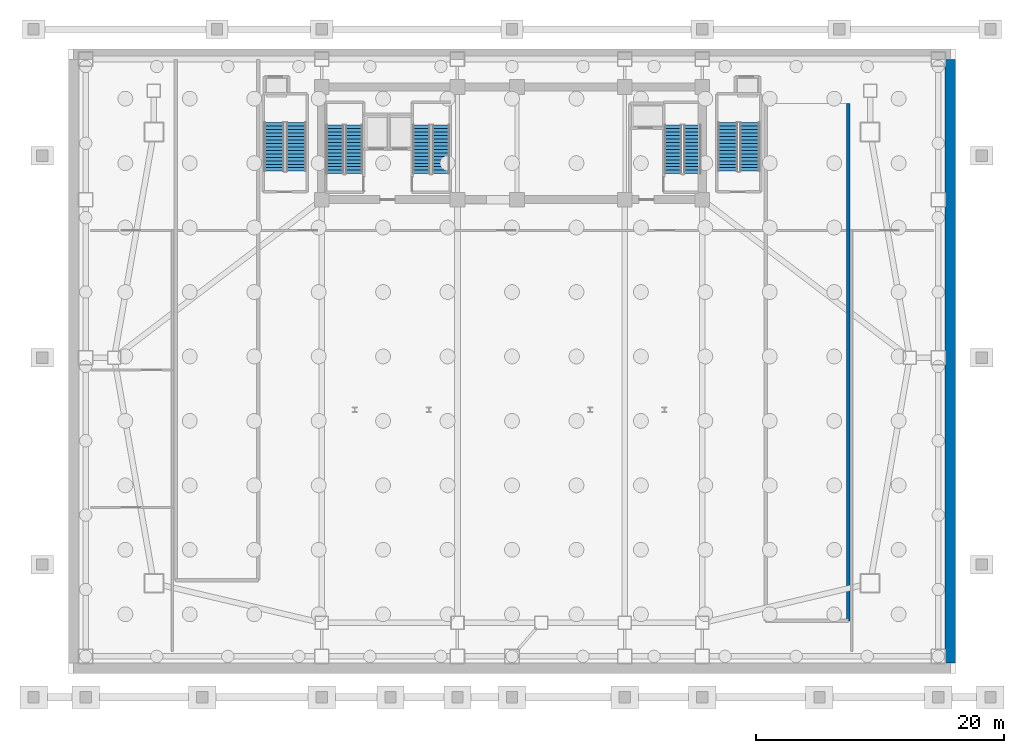
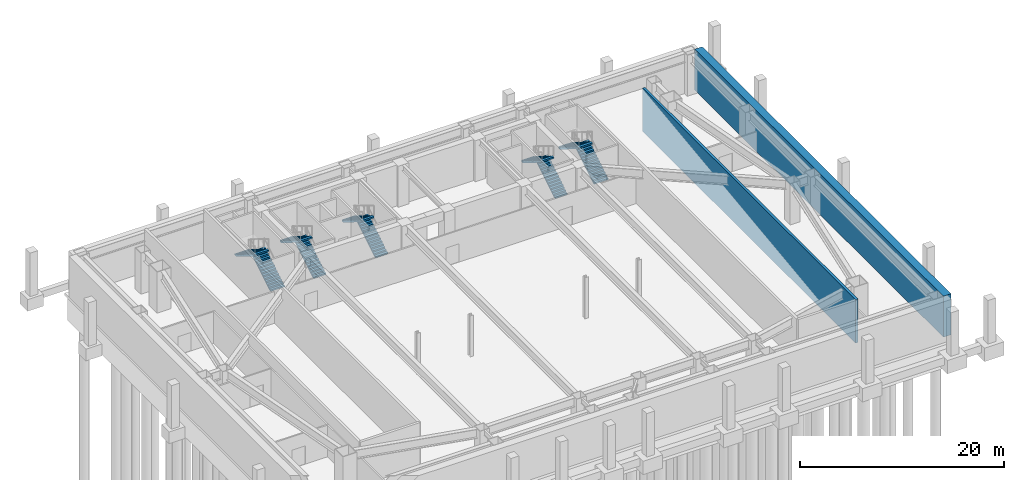
# One storey, part 7 of 10: 10 stair flights, 2 walls, 5 elements without a shape of their own.
"""IFC4 building model written with IfcOpenShell, lengths in metres."""

import ifcopenshell
import ifcopenshell.guid

model = None  # the IFC model being written
_history = None  # IfcOwnerHistory: only IFC2X3 demands one
_inside = {}  # id of a spatial element -> (the spatial element, [elements in it])
_under = {}  # id of a project, library or spatial element -> (it, [spatial elements below it])
_declared = {}  # id of a project -> (the project, [libraries it declares])
_typed = {}  # id of a type object -> (the type object, [elements of that type])
_made_of = {}  # id of a material, layer set ... -> (it, [elements and type objects made of it])


def new_model(schema):
    """Start an empty IFC model of exactly this schema.

    Asked for "IFC4X3", IfcOpenShell would pick the latest addendum, in which some entities
    have other attributes; the version numbers below select the first issue.
    IFC2X3 requires an IfcOwnerHistory on every rooted entity: one is made here for all.
    """
    global model, _history
    if schema == "IFC4X3":
        model = ifcopenshell.file(schema_version=(4, 3, 0, 0))
    else:
        model = ifcopenshell.file(schema=schema)
    _inside.clear()
    _under.clear()
    _declared.clear()
    _typed.clear()
    _made_of.clear()
    _history = None
    if model.schema == "IFC2X3":
        org = make("IfcOrganization", Name="unknown")
        user = make(
            "IfcPersonAndOrganization",
            ThePerson=make("IfcPerson", FamilyName="unknown"),
            TheOrganization=org,
        )
        app = make(
            "IfcApplication",
            ApplicationDeveloper=org,
            Version="unknown",
            ApplicationFullName="unknown",
            ApplicationIdentifier="unknown",
        )
        _history = make(
            "IfcOwnerHistory",
            OwningUser=user,
            OwningApplication=app,
            ChangeAction="ADDED",
            CreationDate=0,
        )
    return model


def make(cls, **values):
    """One entity of the class cls with the attributes given. An attribute that is None is left unset."""
    return model.create_entity(
        cls, **{name: value for name, value in values.items() if value is not None}
    )


def rooted(cls, **values):
    """An entity with a GlobalId (a new one), such as an element, a storey or a relation."""
    return make(cls, GlobalId=ifcopenshell.guid.new(), OwnerHistory=_history, **values)


def si_unit(unit_type, name, prefix=None):
    """IfcSIUnit, for example si_unit("LENGTHUNIT", "METRE", prefix="MILLI")."""
    return make("IfcSIUnit", UnitType=unit_type, Prefix=prefix, Name=name)


def assignment(units):
    """IfcUnitAssignment: the units of a project."""
    return None if units is None else make("IfcUnitAssignment", Units=units)


def point(xyz):
    """IfcCartesianPoint."""
    return None if xyz is None else make("IfcCartesianPoint", Coordinates=xyz)


def direction(xyz):
    """IfcDirection."""
    return None if xyz is None else make("IfcDirection", DirectionRatios=xyz)


def frame(location, z_axis=None, x_axis=None):
    """IfcAxis2Placement3D, a coordinate frame: its origin and axes. An axis left out is left unset."""
    return make(
        "IfcAxis2Placement3D",
        Location=point(location),
        Axis=direction(z_axis),
        RefDirection=direction(x_axis),
    )


def frame_2d(location, x_axis=None):
    """IfcAxis2Placement2D, a coordinate frame in the plane: its origin and x axis."""
    return make(
        "IfcAxis2Placement2D", Location=point(location), RefDirection=direction(x_axis)
    )


def origin():
    """The frame at (0, 0, 0) with its axes left unset."""
    return frame((0.0, 0.0, 0.0))


def place(relative_to, where):
    """IfcLocalPlacement: puts the frame where relative to a parent placement (None: the world)."""
    return make(
        "IfcLocalPlacement", PlacementRelTo=relative_to, RelativePlacement=where
    )


def context(
    kind, dimensions, precision=None, world=None, true_north=None, identifier=None
):
    """IfcGeometricRepresentationContext, for example the 3D "Model" context."""
    return make(
        "IfcGeometricRepresentationContext",
        ContextIdentifier=identifier,
        ContextType=kind,
        CoordinateSpaceDimension=dimensions,
        Precision=precision,
        WorldCoordinateSystem=world,
        TrueNorth=true_north,
    )


def subcontext(parent, identifier, kind, view, scale=None):
    """IfcGeometricRepresentationSubContext, for example "Body" below "Model"."""
    return make(
        "IfcGeometricRepresentationSubContext",
        ContextIdentifier=identifier,
        ContextType=kind,
        ParentContext=parent,
        TargetScale=scale,
        TargetView=view,
    )


def project(units=None, contexts=None):
    """IfcProject with its units and contexts."""
    return rooted(
        "IfcProject",
        Name="project",
        RepresentationContexts=contexts,
        UnitsInContext=assignment(units),
    )


def spatial(cls, under=None, at=None, **own):
    """A site, building, storey or space (cls), placed at a placement, below another one or the project."""
    s = rooted(cls, ObjectPlacement=at, **own)
    if under is not None:
        _under.setdefault(under.id(), (under, []))[1].append(s)
    return s


def polyline(points):
    """IfcPolyline through the points."""
    return make("IfcPolyline", Points=[point(p) for p in points])


def profile(cls, at=None, kind="AREA", **sizes):
    """A parametric profile (cls). Its sizes go by their IFC names, for example OverallWidth=200.0."""
    return make(cls, ProfileType=kind, Position=at, **sizes)


def rectangle(**sizes):
    """IfcRectangleProfileDef."""
    return profile("IfcRectangleProfileDef", **sizes)


def outline(outer, holes=None, kind="AREA"):
    """IfcArbitraryClosedProfileDef: a profile drawn as a closed curve; with holes, ...WithVoids."""
    if holes is None:
        return make("IfcArbitraryClosedProfileDef", ProfileType=kind, OuterCurve=outer)
    return make(
        "IfcArbitraryProfileDefWithVoids",
        ProfileType=kind,
        OuterCurve=outer,
        InnerCurves=holes,
    )


def extrude(swept, where, along, depth):
    """IfcExtrudedAreaSolid: the profile swept, set in the frame where, extruded along a direction by depth."""
    return make(
        "IfcExtrudedAreaSolid",
        SweptArea=swept,
        Position=where,
        ExtrudedDirection=direction(along),
        Depth=depth,
    )


def shape(context_of_items, identifier, shape_type, items):
    """IfcShapeRepresentation: the items that make up one representation, for example the "Body"."""
    return make(
        "IfcShapeRepresentation",
        ContextOfItems=context_of_items,
        RepresentationIdentifier=identifier,
        RepresentationType=shape_type,
        Items=items,
    )


def material(Name=None, Category=None):
    """IfcMaterial."""
    return make("IfcMaterial", Name=Name, Category=Category)


def layer(
    of_material, thickness, ventilated=None, Name=None, Category=None, Priority=None
):
    """IfcMaterialLayer: one layer of a wall or slab, of a material (None: an air gap)."""
    return make(
        "IfcMaterialLayer",
        Material=of_material,
        LayerThickness=thickness,
        IsVentilated=ventilated,
        Name=Name,
        Category=Category,
        Priority=Priority,
    )


def layer_set(layers, Name=None):
    """IfcMaterialLayerSet."""
    return make("IfcMaterialLayerSet", MaterialLayers=layers, LayerSetName=Name)


def made_of(thing, what):
    """Note that an element or type object is made of a material, layer set ...; save() writes the relation."""
    if what is not None:
        _made_of.setdefault(what.id(), (what, []))[1].append(thing)
    return thing


def type_object(cls, material=None, **own):
    """A type object (cls), such as IfcWallType, which elements share."""
    return made_of(rooted(cls, **own), material)


def element(
    cls,
    number,
    at=None,
    inside=None,
    cuts=None,
    type_object=None,
    material=None,
    context=None,
    identifier="Body",
    shape_type=None,
    held_by="IfcProductDefinitionShape",
    body=None,
    shapes=None,
    **own,
):
    """One element of the class cls, such as IfcWall. Its Tag is "e" and its number.

    at: its placement. inside: the storey or other place that contains it. cuts: it is an
    opening in that element (IfcRelVoidsElement). A single representation is given by context,
    identifier, shape_type and body (its items); several are given by shapes. held_by: the class
    of the entity that holds the representations. save() writes the other relations.
    """
    e = rooted(cls, Tag="e%d" % number, ObjectPlacement=at, **own)
    if body is not None:
        shapes = [shape(context, identifier, shape_type, body)]
    if shapes is not None:
        e.Representation = make(held_by, Representations=shapes)
    if inside is not None:
        _inside.setdefault(inside.id(), (inside, []))[1].append(e)
    if cuts is not None:
        rooted(
            "IfcRelVoidsElement", RelatingBuildingElement=cuts, RelatedOpeningElement=e
        )
    if type_object is not None:
        _typed.setdefault(type_object.id(), (type_object, []))[1].append(e)
    return made_of(e, material)


def aggregate(whole, parts):
    """IfcRelAggregates: a whole, such as a stair, and the parts it consists of."""
    return rooted("IfcRelAggregates", RelatingObject=whole, RelatedObjects=parts)


def save(model, path):
    """Write the relations noted so far, then the file.

    IfcRelAggregates (storeys below a building ...), IfcRelContainedInSpatialStructure (elements
    in a storey), IfcRelDefinesByType, IfcRelAssociatesMaterial and IfcRelDeclares: one each for
    every whole, place, type object, material and project.
    """
    for whole, parts in _under.values():
        aggregate(whole, parts)
    for where, things in _inside.values():
        rooted(
            "IfcRelContainedInSpatialStructure",
            RelatedElements=things,
            RelatingStructure=where,
        )
    for kind, things in _typed.values():
        rooted("IfcRelDefinesByType", RelatedObjects=things, RelatingType=kind)
    for what, things in _made_of.values():
        rooted("IfcRelAssociatesMaterial", RelatedObjects=things, RelatingMaterial=what)
    for by, libraries in _declared.values():
        rooted("IfcRelDeclares", RelatingContext=by, RelatedDefinitions=libraries)
    model.write(path)


model = new_model("IFC4")

# Units and contexts
model_context = context("Model", 3, precision=1e-05, world=origin(), true_north=direction((0.0, 1.0)))
body_context = subcontext(model_context, "Body", "Model", "MODEL_VIEW")
ifc_project = project(units=[si_unit("LENGTHUNIT", "METRE"), si_unit("AREAUNIT", "SQUARE_METRE"), si_unit("VOLUMEUNIT", "CUBIC_METRE"), si_unit("PLANEANGLEUNIT", "RADIAN"), si_unit("MASSUNIT", "GRAM", prefix="KILO")], contexts=[model_context])

# Site, building, storey
site_placement = place(None, origin())
site = spatial("IfcSite", under=ifc_project, at=site_placement, CompositionType="ELEMENT")
building_placement = place(site_placement, origin())
building = spatial("IfcBuilding", under=site, at=building_placement, Name="Giltprow Tower", CompositionType="ELEMENT")
storey_placement = place(building_placement, frame((0.0, 0.0, -10.39990234375)))
storey = spatial("IfcBuildingStorey", under=building, at=storey_placement, Name="B02", CompositionType="ELEMENT", Elevation=-10.39990234375)

# Walls
ifc_material_1 = material(Name="Concrete C45", Category="concrete")
ifc_layer_1 = layer(ifc_material_1, 0.85009765625, Name="Concrete C45")
ifc_layer_set_1 = layer_set([ifc_layer_1], Name="Concrete C45")
wall_type_1 = type_object("IfcWallType", Name="RW-DIAPHRAGM-850", PredefinedType="USERDEFINED", material=ifc_layer_set_1)
wall_1_placement = place(storey_placement, frame((70.574951171875, 0.050048828125, 0.0), z_axis=(0.0, 0.0, 1.0), x_axis=(0.0, 1.0, 0.0)))
element("IfcWall", 1, at=wall_1_placement, inside=storey, type_object=wall_type_1, Name="B02 Diaphragm Retaining Wall E", ObjectType="RETAININGWALL", PredefinedType="USERDEFINED", context=body_context, shape_type="SweptSolid", body=[
    extrude(rectangle(XDim=48.699951171875, YDim=0.85009765625, at=frame_2d((24.35009765625, 0.0))), origin(), (0.0, 0.0, 1.0), 4.89990234375),
])
ifc_material_2 = material(Name="Concrete C40", Category="concrete")
ifc_layer_2 = layer(ifc_material_2, 0.280029296875, Name="Concrete C40")
ifc_layer_set_2 = layer_set([ifc_layer_2], Name="Concrete C40")
wall_type_2 = type_object("IfcWallType", Name="WL-RAMP-SHAFT-280", PredefinedType="SOLIDWALL", material=ifc_layer_set_2)
wall_2_placement = place(storey_placement, frame((62.340087890625, 3.4599609375, 0.0), z_axis=(0.0, 0.0, 1.0), x_axis=(0.0, 1.0, 0.0)))
element("IfcWall", 2, at=wall_2_placement, inside=storey, type_object=wall_type_2, Name="B02 East Ramp Bearing Wall E", PredefinedType="SOLIDWALL", context=body_context, shape_type="SweptSolid", body=[
    extrude(rectangle(XDim=41.739990234375, YDim=0.280029296875, at=frame_2d((20.8701171875, 0.0))), origin(), (0.0, 0.0, 1.0), 5.199951171875),
])

# Stair, stair flights
stair_type_1 = type_object("IfcStairType", Name="STR-ST-1", PredefinedType="HALF_TURN_STAIR", material=ifc_material_2)
stair_1_placement = place(storey_placement, origin())
stair_1 = element("IfcStair", 3, at=stair_1_placement, inside=storey, type_object=stair_type_1, Name="B02 Core Exit Stair ST-1", PredefinedType="HALF_TURN_STAIR")
stair_flight_type_1 = type_object("IfcStairFlightType", Name="SFL-ST-1", PredefinedType="STRAIGHT", material=ifc_material_2)
stair_flight_1_placement = place(storey_placement, frame((22.4599609375, 39.550048828125, 0.0), z_axis=(0.0, 0.0, 1.0), x_axis=(0.0, 1.0, 0.0)))
stair_flight_1 = element("IfcStairFlight", 4, at=stair_flight_1_placement, type_object=stair_flight_type_1, Name="ST-1 flight 1", NumberOfRisers=15, NumberOfTreads=14, PredefinedType="STRAIGHT", RiserHeight=0.173333333, TreadLength=0.28, context=body_context, shape_type="SweptSolid", body=[
    extrude(outline(polyline([(0.0, 0.0), (0.0, 0.17333984375), (0.280029296875, 0.17333984375), (0.280029296875, 0.3466796875), (0.56005859375, 0.3466796875), (0.56005859375, 0.52001953125), (0.840087890625, 0.52001953125), (0.840087890625, 0.693359375), (1.1201171875, 0.693359375), (1.1201171875, 0.86669921875), (1.39990234375, 0.86669921875), (1.39990234375, 1.0400390625), (1.679931640625, 1.0400390625), (1.679931640625, 1.21337890625), (1.9599609375, 1.21337890625), (1.9599609375, 1.38671875), (2.239990234375, 1.38671875), (2.239990234375, 1.56005859375), (2.52001953125, 1.56005859375), (2.52001953125, 1.7333984375), (2.800048828125, 1.7333984375), (2.800048828125, 1.90673828125), (3.080078125, 1.90673828125), (3.080078125, 2.080078125), (3.360107421875, 2.080078125), (3.360107421875, 2.25341796875), (3.639892578125, 2.25341796875), (3.639892578125, 2.4267578125), (3.919921875, 2.4267578125), (3.919921875, 2.60009765625), (3.919921875, 2.250244140625), (0.284912109375, 0.0), (0.0, 0.0)])), frame((0.0, 0.699951171875, 0.0), z_axis=(0.0, -1.0, 0.0), x_axis=(1.0, 0.0, 0.0)), (0.0, 0.0, 1.0), 1.39990234375),
])
stair_flight_2_placement = place(storey_placement, frame((20.89990234375, 43.469970703125, 2.599853515625), z_axis=(0.0, 0.0, 1.0), x_axis=(0.0, -1.0, 0.0)))
stair_flight_2 = element("IfcStairFlight", 5, at=stair_flight_2_placement, type_object=stair_flight_type_1, Name="ST-1 flight 2", NumberOfRisers=15, NumberOfTreads=14, PredefinedType="STRAIGHT", RiserHeight=0.173333333, TreadLength=0.28, context=body_context, shape_type="SweptSolid", body=[
    extrude(outline(polyline([(0.0, 0.0), (0.0, 0.17333984375), (0.280029296875, 0.17333984375), (0.280029296875, 0.3466796875), (0.56005859375, 0.3466796875), (0.56005859375, 0.52001953125), (0.840087890625, 0.52001953125), (0.840087890625, 0.693359375), (1.1201171875, 0.693359375), (1.1201171875, 0.86669921875), (1.39990234375, 0.86669921875), (1.39990234375, 1.0400390625), (1.679931640625, 1.0400390625), (1.679931640625, 1.21337890625), (1.9599609375, 1.21337890625), (1.9599609375, 1.38671875), (2.239990234375, 1.38671875), (2.239990234375, 1.56005859375), (2.52001953125, 1.56005859375), (2.52001953125, 1.7333984375), (2.800048828125, 1.7333984375), (2.800048828125, 1.90673828125), (3.080078125, 1.90673828125), (3.080078125, 2.080078125), (3.360107421875, 2.080078125), (3.360107421875, 2.25341796875), (3.639892578125, 2.25341796875), (3.639892578125, 2.4267578125), (3.919921875, 2.4267578125), (3.919921875, 2.60009765625), (3.919921875, 2.250244140625), (0.284912109375, 0.0), (0.0, 0.0)])), frame((0.0, 0.699951171875, 0.0), z_axis=(0.0, -1.0, 0.0), x_axis=(1.0, 0.0, 0.0)), (0.0, 0.0, 1.0), 1.39990234375),
])
aggregate(stair_1, [stair_flight_1, stair_flight_2])

stair_type_2 = type_object("IfcStairType", Name="STR-ST-2", PredefinedType="HALF_TURN_STAIR", material=ifc_material_2)
stair_2_placement = place(storey_placement, origin())
stair_2 = element("IfcStair", 6, at=stair_2_placement, inside=storey, type_object=stair_type_2, Name="B02 Core Exit Stair ST-2", PredefinedType="HALF_TURN_STAIR")
stair_flight_type_2 = type_object("IfcStairFlightType", Name="SFL-ST-2", PredefinedType="STRAIGHT", material=ifc_material_2)
stair_flight_3_placement = place(storey_placement, frame((29.4599609375, 39.550048828125, 0.0), z_axis=(0.0, 0.0, 1.0), x_axis=(0.0, 1.0, 0.0)))
stair_flight_3 = element("IfcStairFlight", 7, at=stair_flight_3_placement, type_object=stair_flight_type_2, Name="ST-2 flight 1", NumberOfRisers=15, NumberOfTreads=14, PredefinedType="STRAIGHT", RiserHeight=0.173333333, TreadLength=0.28, context=body_context, shape_type="SweptSolid", body=[
    extrude(outline(polyline([(0.0, 0.0), (0.0, 0.17333984375), (0.280029296875, 0.17333984375), (0.280029296875, 0.3466796875), (0.56005859375, 0.3466796875), (0.56005859375, 0.52001953125), (0.840087890625, 0.52001953125), (0.840087890625, 0.693359375), (1.1201171875, 0.693359375), (1.1201171875, 0.86669921875), (1.39990234375, 0.86669921875), (1.39990234375, 1.0400390625), (1.679931640625, 1.0400390625), (1.679931640625, 1.21337890625), (1.9599609375, 1.21337890625), (1.9599609375, 1.38671875), (2.239990234375, 1.38671875), (2.239990234375, 1.56005859375), (2.52001953125, 1.56005859375), (2.52001953125, 1.7333984375), (2.800048828125, 1.7333984375), (2.800048828125, 1.90673828125), (3.080078125, 1.90673828125), (3.080078125, 2.080078125), (3.360107421875, 2.080078125), (3.360107421875, 2.25341796875), (3.639892578125, 2.25341796875), (3.639892578125, 2.4267578125), (3.919921875, 2.4267578125), (3.919921875, 2.60009765625), (3.919921875, 2.250244140625), (0.284912109375, 0.0), (0.0, 0.0)])), frame((0.0, 0.699951171875, 0.0), z_axis=(0.0, -1.0, 0.0), x_axis=(1.0, 0.0, 0.0)), (0.0, 0.0, 1.0), 1.39990234375),
])
stair_flight_4_placement = place(storey_placement, frame((27.89990234375, 43.469970703125, 2.599853515625), z_axis=(0.0, 0.0, 1.0), x_axis=(0.0, -1.0, 0.0)))
stair_flight_4 = element("IfcStairFlight", 8, at=stair_flight_4_placement, type_object=stair_flight_type_2, Name="ST-2 flight 2", NumberOfRisers=15, NumberOfTreads=14, PredefinedType="STRAIGHT", RiserHeight=0.173333333, TreadLength=0.28, context=body_context, shape_type="SweptSolid", body=[
    extrude(outline(polyline([(0.0, 0.0), (0.0, 0.17333984375), (0.280029296875, 0.17333984375), (0.280029296875, 0.3466796875), (0.56005859375, 0.3466796875), (0.56005859375, 0.52001953125), (0.840087890625, 0.52001953125), (0.840087890625, 0.693359375), (1.1201171875, 0.693359375), (1.1201171875, 0.86669921875), (1.39990234375, 0.86669921875), (1.39990234375, 1.0400390625), (1.679931640625, 1.0400390625), (1.679931640625, 1.21337890625), (1.9599609375, 1.21337890625), (1.9599609375, 1.38671875), (2.239990234375, 1.38671875), (2.239990234375, 1.56005859375), (2.52001953125, 1.56005859375), (2.52001953125, 1.7333984375), (2.800048828125, 1.7333984375), (2.800048828125, 1.90673828125), (3.080078125, 1.90673828125), (3.080078125, 2.080078125), (3.360107421875, 2.080078125), (3.360107421875, 2.25341796875), (3.639892578125, 2.25341796875), (3.639892578125, 2.4267578125), (3.919921875, 2.4267578125), (3.919921875, 2.60009765625), (3.919921875, 2.250244140625), (0.284912109375, 0.0), (0.0, 0.0)])), frame((0.0, 0.699951171875, 0.0), z_axis=(0.0, -1.0, 0.0), x_axis=(1.0, 0.0, 0.0)), (0.0, 0.0, 1.0), 1.39990234375),
])
aggregate(stair_2, [stair_flight_3, stair_flight_4])

stair_type_3 = type_object("IfcStairType", Name="STR-ST-3", PredefinedType="HALF_TURN_STAIR", material=ifc_material_2)
stair_3_placement = place(storey_placement, origin())
stair_3 = element("IfcStair", 9, at=stair_3_placement, inside=storey, type_object=stair_type_3, Name="B02 Core Exit Stair ST-3", PredefinedType="HALF_TURN_STAIR")
stair_flight_type_3 = type_object("IfcStairFlightType", Name="SFL-ST-3", PredefinedType="STRAIGHT", material=ifc_material_2)
stair_flight_5_placement = place(storey_placement, frame((49.760009765625, 39.550048828125, 0.0), z_axis=(0.0, 0.0, 1.0), x_axis=(0.0, 1.0, 0.0)))
stair_flight_5 = element("IfcStairFlight", 10, at=stair_flight_5_placement, type_object=stair_flight_type_3, Name="ST-3 flight 1", NumberOfRisers=15, NumberOfTreads=14, PredefinedType="STRAIGHT", RiserHeight=0.173333333, TreadLength=0.28, context=body_context, shape_type="SweptSolid", body=[
    extrude(outline(polyline([(0.0, 0.0), (0.0, 0.17333984375), (0.280029296875, 0.17333984375), (0.280029296875, 0.3466796875), (0.56005859375, 0.3466796875), (0.56005859375, 0.52001953125), (0.840087890625, 0.52001953125), (0.840087890625, 0.693359375), (1.1201171875, 0.693359375), (1.1201171875, 0.86669921875), (1.39990234375, 0.86669921875), (1.39990234375, 1.0400390625), (1.679931640625, 1.0400390625), (1.679931640625, 1.21337890625), (1.9599609375, 1.21337890625), (1.9599609375, 1.38671875), (2.239990234375, 1.38671875), (2.239990234375, 1.56005859375), (2.52001953125, 1.56005859375), (2.52001953125, 1.7333984375), (2.800048828125, 1.7333984375), (2.800048828125, 1.90673828125), (3.080078125, 1.90673828125), (3.080078125, 2.080078125), (3.360107421875, 2.080078125), (3.360107421875, 2.25341796875), (3.639892578125, 2.25341796875), (3.639892578125, 2.4267578125), (3.919921875, 2.4267578125), (3.919921875, 2.60009765625), (3.919921875, 2.250244140625), (0.284912109375, 0.0), (0.0, 0.0)])), frame((0.0, 0.699951171875, 0.0), z_axis=(0.0, -1.0, 0.0), x_axis=(1.0, 0.0, 0.0)), (0.0, 0.0, 1.0), 1.39990234375),
])
stair_flight_6_placement = place(storey_placement, frame((48.199951171875, 43.469970703125, 2.599853515625), z_axis=(0.0, 0.0, 1.0), x_axis=(0.0, -1.0, 0.0)))
stair_flight_6 = element("IfcStairFlight", 11, at=stair_flight_6_placement, type_object=stair_flight_type_3, Name="ST-3 flight 2", NumberOfRisers=15, NumberOfTreads=14, PredefinedType="STRAIGHT", RiserHeight=0.173333333, TreadLength=0.28, context=body_context, shape_type="SweptSolid", body=[
    extrude(outline(polyline([(0.0, 0.0), (0.0, 0.17333984375), (0.280029296875, 0.17333984375), (0.280029296875, 0.3466796875), (0.56005859375, 0.3466796875), (0.56005859375, 0.52001953125), (0.840087890625, 0.52001953125), (0.840087890625, 0.693359375), (1.1201171875, 0.693359375), (1.1201171875, 0.86669921875), (1.39990234375, 0.86669921875), (1.39990234375, 1.0400390625), (1.679931640625, 1.0400390625), (1.679931640625, 1.21337890625), (1.9599609375, 1.21337890625), (1.9599609375, 1.38671875), (2.239990234375, 1.38671875), (2.239990234375, 1.56005859375), (2.52001953125, 1.56005859375), (2.52001953125, 1.7333984375), (2.800048828125, 1.7333984375), (2.800048828125, 1.90673828125), (3.080078125, 1.90673828125), (3.080078125, 2.080078125), (3.360107421875, 2.080078125), (3.360107421875, 2.25341796875), (3.639892578125, 2.25341796875), (3.639892578125, 2.4267578125), (3.919921875, 2.4267578125), (3.919921875, 2.60009765625), (3.919921875, 2.250244140625), (0.284912109375, 0.0), (0.0, 0.0)])), frame((0.0, 0.699951171875, 0.0), z_axis=(0.0, -1.0, 0.0), x_axis=(1.0, 0.0, 0.0)), (0.0, 0.0, 1.0), 1.39990234375),
])
aggregate(stair_3, [stair_flight_5, stair_flight_6])

stair_type_4 = type_object("IfcStairType", Name="STR-ST-P1", PredefinedType="HALF_TURN_STAIR", material=ifc_material_2)
stair_4_placement = place(storey_placement, origin())
stair_4 = element("IfcStair", 12, at=stair_4_placement, inside=storey, type_object=stair_type_4, Name="B02 Podium Exit Stair ST-P1", PredefinedType="HALF_TURN_STAIR")
stair_flight_type_4 = type_object("IfcStairFlightType", Name="SFL-ST-P1", PredefinedType="STRAIGHT", material=ifc_material_2)
stair_flight_7_placement = place(storey_placement, frame((17.800048828125, 39.75, 0.0), z_axis=(0.0, 0.0, 1.0), x_axis=(0.0, 1.0, 0.0)))
stair_flight_7 = element("IfcStairFlight", 13, at=stair_flight_7_placement, type_object=stair_flight_type_4, Name="ST-P1 flight 1", NumberOfRisers=15, NumberOfTreads=14, PredefinedType="STRAIGHT", RiserHeight=0.173333333, TreadLength=0.28, context=body_context, shape_type="SweptSolid", body=[
    extrude(outline(polyline([(0.0, 0.0), (0.0, 0.17333984375), (0.280029296875, 0.17333984375), (0.280029296875, 0.3466796875), (0.56005859375, 0.3466796875), (0.56005859375, 0.52001953125), (0.840087890625, 0.52001953125), (0.840087890625, 0.693359375), (1.1201171875, 0.693359375), (1.1201171875, 0.86669921875), (1.39990234375, 0.86669921875), (1.39990234375, 1.0400390625), (1.679931640625, 1.0400390625), (1.679931640625, 1.21337890625), (1.9599609375, 1.21337890625), (1.9599609375, 1.38671875), (2.239990234375, 1.38671875), (2.239990234375, 1.56005859375), (2.52001953125, 1.56005859375), (2.52001953125, 1.7333984375), (2.800048828125, 1.7333984375), (2.800048828125, 1.90673828125), (3.080078125, 1.90673828125), (3.080078125, 2.080078125), (3.360107421875, 2.080078125), (3.360107421875, 2.25341796875), (3.639892578125, 2.25341796875), (3.639892578125, 2.4267578125), (3.919921875, 2.4267578125), (3.919921875, 2.60009765625), (3.919921875, 2.250244140625), (0.284912109375, 0.0), (0.0, 0.0)])), frame((0.0, 0.800048828125, 0.0), z_axis=(0.0, -1.0, 0.0), x_axis=(1.0, 0.0, 0.0)), (0.0, 0.0, 1.0), 1.60009765625),
])
stair_flight_8_placement = place(storey_placement, frame((16.0, 43.669921875, 2.599853515625), z_axis=(0.0, 0.0, 1.0), x_axis=(0.0, -1.0, 0.0)))
stair_flight_8 = element("IfcStairFlight", 14, at=stair_flight_8_placement, type_object=stair_flight_type_4, Name="ST-P1 flight 2", NumberOfRisers=15, NumberOfTreads=14, PredefinedType="STRAIGHT", RiserHeight=0.173333333, TreadLength=0.28, context=body_context, shape_type="SweptSolid", body=[
    extrude(outline(polyline([(0.0, 0.0), (0.0, 0.17333984375), (0.280029296875, 0.17333984375), (0.280029296875, 0.3466796875), (0.56005859375, 0.3466796875), (0.56005859375, 0.52001953125), (0.840087890625, 0.52001953125), (0.840087890625, 0.693359375), (1.1201171875, 0.693359375), (1.1201171875, 0.86669921875), (1.39990234375, 0.86669921875), (1.39990234375, 1.0400390625), (1.679931640625, 1.0400390625), (1.679931640625, 1.21337890625), (1.9599609375, 1.21337890625), (1.9599609375, 1.38671875), (2.239990234375, 1.38671875), (2.239990234375, 1.56005859375), (2.52001953125, 1.56005859375), (2.52001953125, 1.7333984375), (2.800048828125, 1.7333984375), (2.800048828125, 1.90673828125), (3.080078125, 1.90673828125), (3.080078125, 2.080078125), (3.360107421875, 2.080078125), (3.360107421875, 2.25341796875), (3.639892578125, 2.25341796875), (3.639892578125, 2.4267578125), (3.919921875, 2.4267578125), (3.919921875, 2.60009765625), (3.919921875, 2.250244140625), (0.284912109375, 0.0), (0.0, 0.0)])), frame((0.0, 0.800048828125, 0.0), z_axis=(0.0, -1.0, 0.0), x_axis=(1.0, 0.0, 0.0)), (0.0, 0.0, 1.0), 1.60009765625),
])
aggregate(stair_4, [stair_flight_7, stair_flight_8])

stair_type_5 = type_object("IfcStairType", Name="STR-ST-P2", PredefinedType="HALF_TURN_STAIR", material=ifc_material_2)
stair_5_placement = place(storey_placement, origin())
stair_5 = element("IfcStair", 15, at=stair_5_placement, inside=storey, type_object=stair_type_5, Name="B02 Podium Exit Stair ST-P2", PredefinedType="HALF_TURN_STAIR")
stair_flight_type_5 = type_object("IfcStairFlightType", Name="SFL-ST-P2", PredefinedType="STRAIGHT", material=ifc_material_2)
stair_flight_9_placement = place(storey_placement, frame((54.39990234375, 39.75, 0.0), z_axis=(0.0, 0.0, 1.0), x_axis=(0.0, 1.0, 0.0)))
stair_flight_9 = element("IfcStairFlight", 16, at=stair_flight_9_placement, type_object=stair_flight_type_5, Name="ST-P2 flight 1", NumberOfRisers=15, NumberOfTreads=14, PredefinedType="STRAIGHT", RiserHeight=0.173333333, TreadLength=0.28, context=body_context, shape_type="SweptSolid", body=[
    extrude(outline(polyline([(0.0, 0.0), (0.0, 0.17333984375), (0.280029296875, 0.17333984375), (0.280029296875, 0.3466796875), (0.56005859375, 0.3466796875), (0.56005859375, 0.52001953125), (0.840087890625, 0.52001953125), (0.840087890625, 0.693359375), (1.1201171875, 0.693359375), (1.1201171875, 0.86669921875), (1.39990234375, 0.86669921875), (1.39990234375, 1.0400390625), (1.679931640625, 1.0400390625), (1.679931640625, 1.21337890625), (1.9599609375, 1.21337890625), (1.9599609375, 1.38671875), (2.239990234375, 1.38671875), (2.239990234375, 1.56005859375), (2.52001953125, 1.56005859375), (2.52001953125, 1.7333984375), (2.800048828125, 1.7333984375), (2.800048828125, 1.90673828125), (3.080078125, 1.90673828125), (3.080078125, 2.080078125), (3.360107421875, 2.080078125), (3.360107421875, 2.25341796875), (3.639892578125, 2.25341796875), (3.639892578125, 2.4267578125), (3.919921875, 2.4267578125), (3.919921875, 2.60009765625), (3.919921875, 2.250244140625), (0.284912109375, 0.0), (0.0, 0.0)])), frame((0.0, 0.800048828125, 0.0), z_axis=(0.0, -1.0, 0.0), x_axis=(1.0, 0.0, 0.0)), (0.0, 0.0, 1.0), 1.60009765625),
])
stair_flight_10_placement = place(storey_placement, frame((52.60009765625, 43.669921875, 2.599853515625), z_axis=(0.0, 0.0, 1.0), x_axis=(0.0, -1.0, 0.0)))
stair_flight_10 = element("IfcStairFlight", 17, at=stair_flight_10_placement, type_object=stair_flight_type_5, Name="ST-P2 flight 2", NumberOfRisers=15, NumberOfTreads=14, PredefinedType="STRAIGHT", RiserHeight=0.173333333, TreadLength=0.28, context=body_context, shape_type="SweptSolid", body=[
    extrude(outline(polyline([(0.0, 0.0), (0.0, 0.17333984375), (0.280029296875, 0.17333984375), (0.280029296875, 0.3466796875), (0.56005859375, 0.3466796875), (0.56005859375, 0.52001953125), (0.840087890625, 0.52001953125), (0.840087890625, 0.693359375), (1.1201171875, 0.693359375), (1.1201171875, 0.86669921875), (1.39990234375, 0.86669921875), (1.39990234375, 1.0400390625), (1.679931640625, 1.0400390625), (1.679931640625, 1.21337890625), (1.9599609375, 1.21337890625), (1.9599609375, 1.38671875), (2.239990234375, 1.38671875), (2.239990234375, 1.56005859375), (2.52001953125, 1.56005859375), (2.52001953125, 1.7333984375), (2.800048828125, 1.7333984375), (2.800048828125, 1.90673828125), (3.080078125, 1.90673828125), (3.080078125, 2.080078125), (3.360107421875, 2.080078125), (3.360107421875, 2.25341796875), (3.639892578125, 2.25341796875), (3.639892578125, 2.4267578125), (3.919921875, 2.4267578125), (3.919921875, 2.60009765625), (3.919921875, 2.250244140625), (0.284912109375, 0.0), (0.0, 0.0)])), frame((0.0, 0.800048828125, 0.0), z_axis=(0.0, -1.0, 0.0), x_axis=(1.0, 0.0, 0.0)), (0.0, 0.0, 1.0), 1.60009765625),
])
aggregate(stair_5, [stair_flight_9, stair_flight_10])

save(model, "model.ifc")
